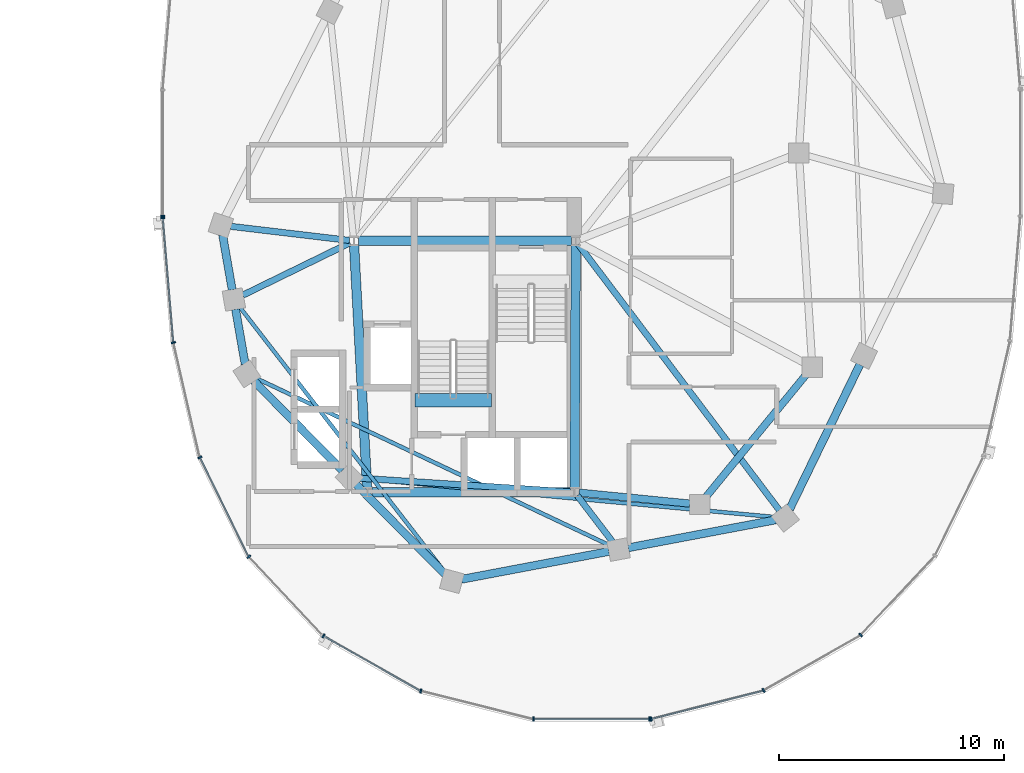
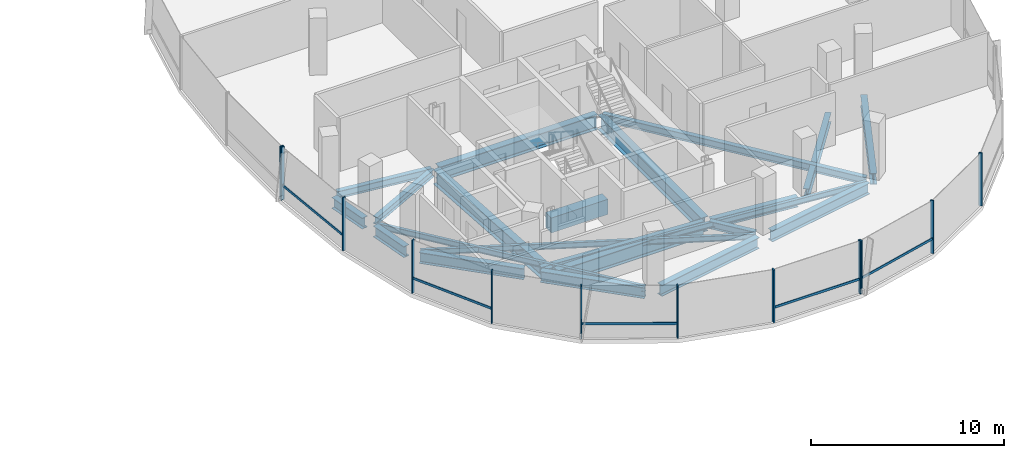
# One storey, part 8 of 25: 22 beams, 17 members, 3 elements without a shape of their own.
"""IFC4 building model written with IfcOpenShell, lengths in metres."""

from ifc_helpers import new_model, si_unit, direction, frame, origin, origin_2d, place, context, subcontext, project, spatial, rectangle, i_section, extrude, material, material_profile, profile_set, type_object, element, aggregate, save


model = new_model("IFC4")

# Units and contexts
model_context = context("Model", 3, precision=1e-05, world=origin(), true_north=direction((0.0, 1.0)))
body_context = subcontext(model_context, "Body", "Model", "MODEL_VIEW")
ifc_project = project(units=[si_unit("LENGTHUNIT", "METRE"), si_unit("AREAUNIT", "SQUARE_METRE"), si_unit("VOLUMEUNIT", "CUBIC_METRE"), si_unit("PLANEANGLEUNIT", "RADIAN"), si_unit("MASSUNIT", "GRAM", prefix="KILO"), si_unit("THERMODYNAMICTEMPERATUREUNIT", "KELVIN"), si_unit("POWERUNIT", "WATT")], contexts=[model_context])

# Site, building, storey
site_placement = place(None, origin())
site = spatial("IfcSite", under=ifc_project, at=site_placement, CompositionType="ELEMENT")
building_placement = place(site_placement, origin())
building = spatial("IfcBuilding", under=site, at=building_placement, Name="Cundina Bronze Exchange", CompositionType="ELEMENT")
storey_placement = place(building_placement, frame((0.0, 0.0, 209.800048828125)))
storey = spatial("IfcBuildingStorey", under=building, at=storey_placement, Name="L55", CompositionType="ELEMENT", Elevation=209.800048828125)

# Beams
ifc_material_1 = material(Name="Concrete C60/75", Category="concrete")
ifc_material_profile_1 = material_profile(ifc_material_1, rectangle(XDim=0.60009765625, YDim=0.949951171875, at=origin_2d()), Name="RC600X950", Category="concrete")
ifc_profile_set_1 = profile_set([ifc_material_profile_1], Name="Concrete C60/75")
beam_type_1 = type_object("IfcBeamType", Name="BM-COUP-RC950", PredefinedType="LINTEL", material=ifc_profile_set_1)
beam_1_placement = place(storey_placement, frame((24.159912109375, -10.97998046875, -0.47509765625), z_axis=(1.0, 0.0, 0.0), x_axis=(0.0, 1.0, 0.0)))
element("IfcBeam", 1, at=beam_1_placement, inside=storey, type_object=beam_type_1, Name="L55 Stair E2 Landing Header Beam", PredefinedType="LINTEL", context=body_context, shape_type="SweptSolid", body=[
    extrude(rectangle(XDim=0.60009765625, YDim=0.949951171875, at=origin_2d()), origin(), (0.0, 0.0, 1.0), 3.400146484375),
])
ifc_material_2 = material(Name="Steel ASTM A992 Grade 50", Category="steel")
ifc_material_profile_2 = material_profile(ifc_material_2, i_section(OverallWidth=0.280029296875, OverallDepth=0.462890625, WebThickness=0.0107421875, FlangeThickness=0.017333984375, FilletRadius=0.011962890625, at=origin_2d()), Name="W18X76", Category="steel")
ifc_profile_set_2 = profile_set([ifc_material_profile_2], Name="Steel ASTM A992 Grade 50")
beam_type_2 = type_object("IfcBeamType", Name="BM-FLR-W18A", PredefinedType="BEAM", material=ifc_profile_set_2)
beam_2_placement = place(storey_placement, frame((21.25537109375, -3.876953125, -0.491455078125), z_axis=(-0.993036786722, 0.117804669761, 0.0), x_axis=(-0.117804669761, -0.993036786722, 0.0)))
element("IfcBeam", 2, at=beam_2_placement, inside=storey, type_object=beam_type_2, Name="L55 Leg E Chordal Floor Beam 00", PredefinedType="BEAM", context=body_context, shape_type="SweptSolid", body=[
    extrude(i_section(OverallWidth=0.280029296875, OverallDepth=0.462890625, WebThickness=0.0107421875, FlangeThickness=0.017333984375, FilletRadius=0.011962890625, at=origin_2d()), origin(), (0.0, 0.0, 1.0), 5.307373046875),
])
beam_3_placement = place(storey_placement, frame((21.27392578125, -3.986083984375, -0.491455078125), z_axis=(-0.898613202677, -0.438741737214, 0.0), x_axis=(0.438741737214, -0.898613202677, 0.0)))
element("IfcBeam", 3, at=beam_3_placement, inside=storey, type_object=beam_type_2, Name="L55 Leg E Chordal Floor Beam 01", PredefinedType="BEAM", context=body_context, shape_type="SweptSolid", body=[
    extrude(i_section(OverallWidth=0.280029296875, OverallDepth=0.462890625, WebThickness=0.0107421875, FlangeThickness=0.017333984375, FilletRadius=0.011962890625, at=origin_2d()), origin(), (0.0, 0.0, 1.0), 5.2919921875),
])
beam_4_placement = place(storey_placement, frame((31.054443359375, -15.037353515625, -0.491455078125), z_axis=(-0.997894145252, 0.064863509559, 0.0), x_axis=(-0.064863509559, -0.997894145252, 0.0)))
element("IfcBeam", 4, at=beam_4_placement, inside=storey, type_object=beam_type_2, Name="L55 Leg E Chordal Floor Beam 03", PredefinedType="BEAM", context=body_context, shape_type="SweptSolid", body=[
    extrude(i_section(OverallWidth=0.280029296875, OverallDepth=0.462890625, WebThickness=0.0107421875, FlangeThickness=0.017333984375, FilletRadius=0.011962890625, at=origin_2d()), origin(), (0.0, 0.0, 1.0), 9.38720703125),
])
beam_5_placement = place(storey_placement, frame((31.369140625, -15.205810546875, -0.491455078125), z_axis=(0.60740437517, -0.794392802727, 0.0), x_axis=(0.794392802727, 0.60740437517, 0.0)))
element("IfcBeam", 5, at=beam_5_placement, inside=storey, type_object=beam_type_2, Name="L55 Leg E Chordal Floor Beam 05", PredefinedType="BEAM", context=body_context, shape_type="SweptSolid", body=[
    extrude(i_section(OverallWidth=0.280029296875, OverallDepth=0.462890625, WebThickness=0.0107421875, FlangeThickness=0.017333984375, FilletRadius=0.011962890625, at=origin_2d()), origin(), (0.0, 0.0, 1.0), 2.575927734375),
])
beam_6_placement = place(storey_placement, frame((31.418212890625, -4.056396484375, -0.491455078125), z_axis=(0.603104943786, -0.797661849897, 0.0), x_axis=(0.797661849897, 0.603104943786, 0.0)))
element("IfcBeam", 6, at=beam_6_placement, inside=storey, type_object=beam_type_2, Name="L55 Leg E Chordal Floor Beam 06", PredefinedType="BEAM", context=body_context, shape_type="SweptSolid", body=[
    extrude(i_section(OverallWidth=0.280029296875, OverallDepth=0.462890625, WebThickness=0.0107421875, FlangeThickness=0.017333984375, FilletRadius=0.011962890625, at=origin_2d()), origin(), (0.0, 0.0, 1.0), 14.785888671875),
])
ifc_material_profile_3 = material_profile(ifc_material_2, i_section(OverallWidth=0.172119140625, OverallDepth=0.35791015625, WebThickness=0.0078125, FlangeThickness=0.01318359375, FilletRadius=0.010009765625, at=origin_2d()), Name="W14X38", Category="steel")
ifc_profile_set_3 = profile_set([ifc_material_profile_3], Name="Steel ASTM A992 Grade 50")
beam_type_3 = type_object("IfcBeamType", Name="BM-JST-W14", PredefinedType="JOIST", material=ifc_profile_set_3)
beam_7_placement = place(storey_placement, frame((16.39306640625, -6.846435546875, -0.43896484375), z_axis=(0.612085793291, -0.790791364174, 0.0), x_axis=(0.790791364174, 0.612085793291, 0.0)))
element("IfcBeam", 7, at=beam_7_placement, inside=storey, type_object=beam_type_3, Name="L55 Leg E Lobe Floor Joist 01-04", PredefinedType="JOIST", context=body_context, shape_type="SweptSolid", body=[
    extrude(i_section(OverallWidth=0.172119140625, OverallDepth=0.35791015625, WebThickness=0.0078125, FlangeThickness=0.01318359375, FilletRadius=0.010009765625, at=origin_2d()), origin(), (0.0, 0.0, 1.0), 14.9306640625),
])
beam_8_placement = place(storey_placement, frame((17.095947265625, -9.9873046875, -0.43896484375), z_axis=(0.904073747204, -0.427376484632, 0.0), x_axis=(0.427376484632, 0.904073747204, 0.0)))
element("IfcBeam", 8, at=beam_8_placement, inside=storey, type_object=beam_type_3, Name="L55 Leg E Lobe Floor Joist 02-05", PredefinedType="JOIST", context=body_context, shape_type="SweptSolid", body=[
    extrude(i_section(OverallWidth=0.172119140625, OverallDepth=0.35791015625, WebThickness=0.0078125, FlangeThickness=0.01318359375, FilletRadius=0.010009765625, at=origin_2d()), origin(), (0.0, 0.0, 1.0), 17.374755859375),
])
beam_9_placement = place(storey_placement, frame((21.68603515625, -14.440673828125, -0.43896484375), z_axis=(0.9957017803, -0.092617302415, 0.0), x_axis=(0.092617302415, 0.9957017803, 0.0)))
element("IfcBeam", 9, at=beam_9_placement, inside=storey, type_object=beam_type_3, Name="L55 Leg E Lobe Floor Joist 03-06", PredefinedType="JOIST", context=body_context, shape_type="SweptSolid", body=[
    extrude(i_section(OverallWidth=0.172119140625, OverallDepth=0.35791015625, WebThickness=0.0078125, FlangeThickness=0.01318359375, FilletRadius=0.010009765625, at=origin_2d()), origin(), (0.0, 0.0, 1.0), 18.5576171875),
])
ifc_material_profile_4 = material_profile(ifc_material_2, i_section(OverallWidth=0.324951171875, OverallDepth=0.615966796875, WebThickness=0.013916015625, FlangeThickness=0.021484375, FilletRadius=0.01611328125, at=origin_2d()), Name="W24X117", Category="steel")
ifc_profile_set_4 = profile_set([ifc_material_profile_4], Name="Steel ASTM A992 Grade 50")
beam_type_4 = type_object("IfcBeamType", Name="BM-RING-W24", PredefinedType="USERDEFINED", material=ifc_profile_set_4)
beam_10_placement = place(storey_placement, frame((31.445068359375, -15.0693359375, -0.568115234375), z_axis=(0.995123854478, -0.09863323096, 0.0), x_axis=(0.09863323096, 0.995123854478, 0.0)))
element("IfcBeam", 10, at=beam_10_placement, inside=storey, type_object=beam_type_4, Name="L55 E Inner Structural Ring Girder 01", ObjectType="GIRDER", PredefinedType="USERDEFINED", context=body_context, shape_type="SweptSolid", body=[
    extrude(i_section(OverallWidth=0.324951171875, OverallDepth=0.615966796875, WebThickness=0.013916015625, FlangeThickness=0.021484375, FilletRadius=0.01611328125, at=origin_2d()), origin(), (0.0, 0.0, 1.0), 4.943115234375),
])
beam_11_placement = place(storey_placement, frame((37.07763671875, -15.26123046875, -0.568115234375), z_axis=(0.633912590175, 0.77340469873, 0.0), x_axis=(-0.77340469873, 0.633912590175, 0.0)))
element("IfcBeam", 11, at=beam_11_placement, inside=storey, type_object=beam_type_4, Name="L55 E Inner Structural Ring Girder 02", ObjectType="GIRDER", PredefinedType="USERDEFINED", context=body_context, shape_type="SweptSolid", body=[
    extrude(i_section(OverallWidth=0.324951171875, OverallDepth=0.615966796875, WebThickness=0.013916015625, FlangeThickness=0.021484375, FilletRadius=0.01611328125, at=origin_2d()), origin(), (0.0, 0.0, 1.0), 7.01123046875),
])
ifc_material_profile_5 = material_profile(ifc_material_2, i_section(OverallWidth=0.35498046875, OverallDepth=0.695068359375, WebThickness=0.015380859375, FlangeThickness=0.02490234375, FilletRadius=0.01806640625, at=origin_2d()), Name="W27X146", Category="steel")
ifc_profile_set_5 = profile_set([ifc_material_profile_5], Name="Steel ASTM A992 Grade 50")
beam_type_5 = type_object("IfcBeamType", Name="BM-RING-W27", PredefinedType="USERDEFINED", material=ifc_profile_set_5)
for number, where, z_axis, x_axis, name in (
    (12, (15.625244140625, -3.631591796875, -0.607666015625), (0.171628556628, -0.985161732179, 0.0), (0.985161732179, 0.171628556628, 0.0), "L55 E Perimeter Ring Girder 00"),
    (13, (16.2001953125, -6.931396484375, -0.607666015625), (0.171628556628, -0.985161732179, 0.0), (0.985161732179, 0.171628556628, 0.0), "L55 E Perimeter Ring Girder 01"),
):
    element("IfcBeam", number, at=place(storey_placement, frame(where, z_axis=z_axis, x_axis=x_axis)), inside=storey, type_object=beam_type_5, Name=name, ObjectType="GIRDER", PredefinedType="USERDEFINED", context=body_context, shape_type="SweptSolid", body=[
        extrude(i_section(OverallWidth=0.35498046875, OverallDepth=0.695068359375, WebThickness=0.015380859375, FlangeThickness=0.02490234375, FilletRadius=0.01806640625, at=origin_2d()), origin(), (0.0, 0.0, 1.0), 2.4736328125),
    ])
for number, where, z_axis, x_axis, name in (
    (14, (17.008056640625, -10.111328125, -0.607666015625), (0.703211928763, -0.710980297368, 0.0), (0.710980297368, 0.703211928763, 0.0), "L55 E Perimeter Ring Girder 02"),
    (15, (21.55810546875, -14.71142578125, -0.607666015625), (0.703211928763, -0.710980297368, 0.0), (0.710980297368, 0.703211928763, 0.0), "L55 E Perimeter Ring Girder 03"),
):
    element("IfcBeam", number, at=place(storey_placement, frame(where, z_axis=z_axis, x_axis=x_axis)), inside=storey, type_object=beam_type_5, Name=name, ObjectType="GIRDER", PredefinedType="USERDEFINED", context=body_context, shape_type="SweptSolid", body=[
        extrude(i_section(OverallWidth=0.35498046875, OverallDepth=0.695068359375, WebThickness=0.015380859375, FlangeThickness=0.02490234375, FilletRadius=0.01806640625, at=origin_2d()), origin(), (0.0, 0.0, 1.0), 5.593994140625),
    ])
beam_12_placement = place(storey_placement, frame((26.23046875, -18.918701171875, -0.607666015625), z_axis=(0.982565174657, 0.185918470175, 0.0), x_axis=(-0.185918470175, 0.982565174657, 0.0)))
element("IfcBeam", 16, at=beam_12_placement, inside=storey, type_object=beam_type_5, Name="L55 E Perimeter Ring Girder 04", ObjectType="GIRDER", PredefinedType="USERDEFINED", context=body_context, shape_type="SweptSolid", body=[
    extrude(i_section(OverallWidth=0.35498046875, OverallDepth=0.695068359375, WebThickness=0.015380859375, FlangeThickness=0.02490234375, FilletRadius=0.01806640625, at=origin_2d()), origin(), (0.0, 0.0, 1.0), 6.655029296875),
])
beam_13_placement = place(storey_placement, frame((33.63037109375, -17.5185546875, -0.607666015625), z_axis=(0.982573143022, 0.185876353022, 0.0), x_axis=(-0.185876353022, 0.982573143022, 0.0)))
element("IfcBeam", 17, at=beam_13_placement, inside=storey, type_object=beam_type_5, Name="L55 E Perimeter Ring Girder 05", ObjectType="GIRDER", PredefinedType="USERDEFINED", context=body_context, shape_type="SweptSolid", body=[
    extrude(i_section(OverallWidth=0.35498046875, OverallDepth=0.695068359375, WebThickness=0.015380859375, FlangeThickness=0.02490234375, FilletRadius=0.01806640625, at=origin_2d()), origin(), (0.0, 0.0, 1.0), 6.6552734375),
])
beam_14_placement = place(storey_placement, frame((40.79150390625, -15.80615234375, -0.607666015625), z_axis=(0.437173087764, 0.89937739094, 0.0), x_axis=(-0.89937739094, 0.437173087764, 0.0)))
element("IfcBeam", 18, at=beam_14_placement, inside=storey, type_object=beam_type_5, Name="L55 E Perimeter Ring Girder 06", ObjectType="GIRDER", PredefinedType="USERDEFINED", context=body_context, shape_type="SweptSolid", body=[
    extrude(i_section(OverallWidth=0.35498046875, OverallDepth=0.695068359375, WebThickness=0.015380859375, FlangeThickness=0.02490234375, FilletRadius=0.01806640625, at=origin_2d()), origin(), (0.0, 0.0, 1.0), 7.1298828125),
])
ifc_material_profile_6 = material_profile(ifc_material_2, i_section(OverallWidth=0.41796875, OverallDepth=0.927001953125, WebThickness=0.019287109375, FlangeThickness=0.031982421875, FilletRadius=0.02392578125, at=origin_2d()), Name="W36X231", Category="steel")
ifc_profile_set_6 = profile_set([ifc_material_profile_6], Name="Steel ASTM A992 Grade 50")
beam_type_6 = type_object("IfcBeamType", Name="BM-WRN-W36B", PredefinedType="USERDEFINED", material=ifc_profile_set_6)
beam_15_placement = place(storey_placement, frame((31.10400390625, -3.89990234375, -0.7236328125), z_axis=(-1.0, 0.0, 0.0), x_axis=(0.0, -1.0, 0.0)))
element("IfcBeam", 19, at=beam_15_placement, inside=storey, type_object=beam_type_6, Name="L55 E Core Perimeter Tie Girder 1", ObjectType="GIRDER", PredefinedType="USERDEFINED", context=body_context, shape_type="SweptSolid", body=[
    extrude(i_section(OverallWidth=0.41796875, OverallDepth=0.927001953125, WebThickness=0.019287109375, FlangeThickness=0.031982421875, FilletRadius=0.02392578125, at=origin_2d()), origin(), (0.0, 0.0, 1.0), 9.4580078125),
])
beam_16_placement = place(storey_placement, frame((21.46044921875, -4.095703125, -0.7236328125), z_axis=(0.053749317644, -0.998554460634, 0.0), x_axis=(0.998554460634, 0.053749317644, 0.0)))
element("IfcBeam", 20, at=beam_16_placement, inside=storey, type_object=beam_type_6, Name="L55 E Core Perimeter Tie Girder 2", ObjectType="GIRDER", PredefinedType="USERDEFINED", context=body_context, shape_type="SweptSolid", body=[
    extrude(i_section(OverallWidth=0.41796875, OverallDepth=0.927001953125, WebThickness=0.019287109375, FlangeThickness=0.031982421875, FilletRadius=0.02392578125, at=origin_2d()), origin(), (0.0, 0.0, 1.0), 10.774169921875),
])
beam_17_placement = place(storey_placement, frame((22.24609375, -15.050048828125, -0.7236328125), z_axis=(1.0, 0.0, 0.0), x_axis=(0.0, 1.0, 0.0)))
element("IfcBeam", 21, at=beam_17_placement, inside=storey, type_object=beam_type_6, Name="L55 E Core Perimeter Tie Girder 3", ObjectType="GIRDER", PredefinedType="USERDEFINED", context=body_context, shape_type="SweptSolid", body=[
    extrude(i_section(OverallWidth=0.41796875, OverallDepth=0.927001953125, WebThickness=0.019287109375, FlangeThickness=0.031982421875, FilletRadius=0.02392578125, at=origin_2d()), origin(), (0.0, 0.0, 1.0), 8.807861328125),
])
beam_18_placement = place(storey_placement, frame((31.2509765625, -14.85400390625, -0.7236328125), z_axis=(0.004470623654, 0.999990006712, 0.0), x_axis=(-0.999990006712, 0.004470623654, 0.0)))
element("IfcBeam", 22, at=beam_18_placement, inside=storey, type_object=beam_type_6, Name="L55 E Core Perimeter Tie Girder 4", ObjectType="GIRDER", PredefinedType="USERDEFINED", context=body_context, shape_type="SweptSolid", body=[
    extrude(i_section(OverallWidth=0.41796875, OverallDepth=0.927001953125, WebThickness=0.019287109375, FlangeThickness=0.031982421875, FilletRadius=0.02392578125, at=origin_2d()), origin(), (0.0, 0.0, 1.0), 10.758056640625),
])

# Curtain wall, member
ifc_material_3 = material(Name="Anodised Bronze Aluminium 6063-T6", Category="aluminium")
curtain_wall_type = type_object("IfcCurtainWallType", Name="CWS-UPP-OFF", PredefinedType="NOTDEFINED", material=ifc_material_3)
curtain_wall_1_placement = place(storey_placement, origin())
curtain_wall_1 = element("IfcCurtainWall", 23, at=curtain_wall_1_placement, inside=storey, type_object=curtain_wall_type, Name="L55 CW-05 Curtain Wall Run CWR-L55-E2", PredefinedType="NOTDEFINED")
ifc_material_profile_7 = material_profile(ifc_material_3, rectangle(XDim=0.070068359375, YDim=0.18994140625, at=origin_2d()), Name="AL70X190", Category="aluminium")
ifc_profile_set_7 = profile_set([ifc_material_profile_7], Name="Anodised Bronze Aluminium 6063-T6")
member_type_1 = type_object("IfcMemberType", Name="CWM-MUL-190", PredefinedType="MULLION", material=ifc_profile_set_7)
member_1_placement = place(storey_placement, frame((12.966064453125, -2.794921875, 0.0), z_axis=(0.0, 0.0, 1.0), x_axis=(0.0, -1.0, 0.0)))
member_1 = element("IfcMember", 24, at=member_1_placement, type_object=member_type_1, Name="CW-05 End Mullion", PredefinedType="MULLION", context=body_context, shape_type="SweptSolid", body=[
    extrude(rectangle(XDim=0.070068359375, YDim=0.18994140625, at=origin_2d()), origin(), (0.0, 0.0, 1.0), 3.33984375),
])
aggregate(curtain_wall_1, [member_1])

# Curtain wall, members
curtain_wall_2_placement = place(storey_placement, origin())
curtain_wall_2 = element("IfcCurtainWall", 25, at=curtain_wall_2_placement, inside=storey, type_object=curtain_wall_type, Name="L55 CW-05 Curtain Wall Run CWR-L55-E3", PredefinedType="NOTDEFINED")
member_2_placement = place(storey_placement, frame((12.9697265625, -2.88330078125, 0.0), z_axis=(0.0, 0.0, 1.0), x_axis=(0.083677843332, -0.99649285925, 0.0)))
member_2 = element("IfcMember", 26, at=member_2_placement, type_object=member_type_1, Name="CW-05 Mullion 1", PredefinedType="MULLION", context=body_context, shape_type="SweptSolid", body=[
    extrude(rectangle(XDim=0.070068359375, YDim=0.18994140625, at=origin_2d()), origin(), (0.0, 0.0, 1.0), 3.33984375),
])
member_3_placement = place(storey_placement, frame((13.43994140625, -8.4111328125, 0.0), z_axis=(0.0, 0.0, 1.0), x_axis=(0.223250116011, -0.974761194191, 0.0)))
member_3 = element("IfcMember", 27, at=member_3_placement, type_object=member_type_1, Name="CW-05 Mullion 2", PredefinedType="MULLION", context=body_context, shape_type="SweptSolid", body=[
    extrude(rectangle(XDim=0.070068359375, YDim=0.18994140625, at=origin_2d()), origin(), (0.0, 0.0, 1.0), 3.33984375),
])
member_4_placement = place(storey_placement, frame((14.61572265625, -13.50732421875, 0.0), z_axis=(0.0, 0.0, 1.0), x_axis=(0.440566004113, -0.897720221461, 0.0)))
member_4 = element("IfcMember", 28, at=member_4_placement, type_object=member_type_1, Name="CW-05 Mullion 3", PredefinedType="MULLION", context=body_context, shape_type="SweptSolid", body=[
    extrude(rectangle(XDim=0.070068359375, YDim=0.18994140625, at=origin_2d()), origin(), (0.0, 0.0, 1.0), 3.33984375),
])
member_5_placement = place(storey_placement, frame((16.790283203125, -17.91796875, 0.0), z_axis=(0.0, 0.0, 1.0), x_axis=(0.684292606175, -0.729207535023, 0.0)))
member_5 = element("IfcMember", 29, at=member_5_placement, type_object=member_type_1, Name="CW-05 Mullion 4", PredefinedType="MULLION", context=body_context, shape_type="SweptSolid", body=[
    extrude(rectangle(XDim=0.070068359375, YDim=0.18994140625, at=origin_2d()), origin(), (0.0, 0.0, 1.0), 3.33984375),
])
member_6_placement = place(storey_placement, frame((20.100341796875, -21.43115234375, 0.0), z_axis=(0.0, 0.0, 1.0), x_axis=(0.86958112538, -0.493790103568, 0.0)))
member_6 = element("IfcMember", 30, at=member_6_placement, type_object=member_type_1, Name="CW-05 Mullion 5", PredefinedType="MULLION", context=body_context, shape_type="SweptSolid", body=[
    extrude(rectangle(XDim=0.070068359375, YDim=0.18994140625, at=origin_2d()), origin(), (0.0, 0.0, 1.0), 3.33984375),
])
member_7_placement = place(storey_placement, frame((24.422607421875, -23.87548828125, 0.0), z_axis=(0.0, 0.0, 1.0), x_axis=(0.969744325821, -0.244122802168, 0.0)))
member_7 = element("IfcMember", 31, at=member_7_placement, type_object=member_type_1, Name="CW-05 Mullion 6", PredefinedType="MULLION", context=body_context, shape_type="SweptSolid", body=[
    extrude(rectangle(XDim=0.070068359375, YDim=0.18994140625, at=origin_2d()), origin(), (0.0, 0.0, 1.0), 3.33984375),
])
member_8_placement = place(storey_placement, frame((29.419921875, -25.125, 0.0), z_axis=(0.0, 0.0, 1.0), x_axis=(1.0, 0.0, 0.0)))
member_8 = element("IfcMember", 32, at=member_8_placement, type_object=member_type_1, Name="CW-05 Mullion 7", PredefinedType="MULLION", context=body_context, shape_type="SweptSolid", body=[
    extrude(rectangle(XDim=0.070068359375, YDim=0.18994140625, at=origin_2d()), origin(), (0.0, 0.0, 1.0), 3.33984375),
])
member_9_placement = place(storey_placement, frame((34.580078125, -25.125, 0.0), z_axis=(0.0, 0.0, 1.0), x_axis=(1.0, 0.0, 0.0)))
member_9 = element("IfcMember", 33, at=member_9_placement, type_object=member_type_1, Name="CW-05 End Mullion", PredefinedType="MULLION", context=body_context, shape_type="SweptSolid", body=[
    extrude(rectangle(XDim=0.070068359375, YDim=0.18994140625, at=origin_2d()), origin(), (0.0, 0.0, 1.0), 3.33984375),
])

curtain_wall_3_placement = place(storey_placement, origin())
curtain_wall_3 = element("IfcCurtainWall", 34, at=curtain_wall_3_placement, inside=storey, type_object=curtain_wall_type, Name="L55 CW-05 Curtain Wall Run CWR-L55-E4", PredefinedType="NOTDEFINED")
member_10_placement = place(storey_placement, frame((34.6484375, -25.116455078125, 0.0), z_axis=(0.0, 0.0, 1.0), x_axis=(0.969744325821, 0.244122802168, 0.0)))
member_10 = element("IfcMember", 35, at=member_10_placement, type_object=member_type_1, Name="CW-05 Mullion 1", PredefinedType="MULLION", context=body_context, shape_type="SweptSolid", body=[
    extrude(rectangle(XDim=0.070068359375, YDim=0.18994140625, at=origin_2d()), origin(), (0.0, 0.0, 1.0), 3.33984375),
])
member_11_placement = place(storey_placement, frame((39.638916015625, -23.850830078125, 0.0), z_axis=(0.0, 0.0, 1.0), x_axis=(0.86958112538, 0.493790103568, 0.0)))
member_11 = element("IfcMember", 36, at=member_11_placement, type_object=member_type_1, Name="CW-05 Mullion 2", PredefinedType="MULLION", context=body_context, shape_type="SweptSolid", body=[
    extrude(rectangle(XDim=0.070068359375, YDim=0.18994140625, at=origin_2d()), origin(), (0.0, 0.0, 1.0), 3.33984375),
])
member_12_placement = place(storey_placement, frame((43.94873046875, -21.392578125, 0.0), z_axis=(0.0, 0.0, 1.0), x_axis=(0.684292606175, 0.729207535023, 0.0)))
member_12 = element("IfcMember", 37, at=member_12_placement, type_object=member_type_1, Name="CW-05 Mullion 3", PredefinedType="MULLION", context=body_context, shape_type="SweptSolid", body=[
    extrude(rectangle(XDim=0.070068359375, YDim=0.18994140625, at=origin_2d()), origin(), (0.0, 0.0, 1.0), 3.33984375),
])

# Member
ifc_material_profile_8 = material_profile(ifc_material_3, rectangle(XDim=0.06494140625, YDim=0.14990234375, at=origin_2d()), Name="AL65X150", Category="aluminium")
ifc_profile_set_8 = profile_set([ifc_material_profile_8], Name="Anodised Bronze Aluminium 6063-T6")
member_type_2 = type_object("IfcMemberType", Name="CWM-TRN-150", PredefinedType="USERDEFINED", material=ifc_profile_set_8)
member_13_placement = place(storey_placement, frame((12.972900390625, -2.921630859375, 0.919921875), z_axis=(0.083740331158, -0.996487610027, 0.0), x_axis=(0.996487610027, 0.083740331158, 0.0)))
member_13 = element("IfcMember", 38, at=member_13_placement, type_object=member_type_2, Name="CW-05 Spandrel Transom 1", ObjectType="TRANSOM", PredefinedType="USERDEFINED", context=body_context, shape_type="SweptSolid", body=[
    extrude(rectangle(XDim=0.06494140625, YDim=0.14990234375, at=origin_2d()), origin(), (0.0, 0.0, 1.0), 5.466552734375),
])

member_14_placement = place(storey_placement, frame((14.6328125, -13.5419921875, 0.919921875), z_axis=(0.440483110889, -0.897760897467, 0.0), x_axis=(0.897760897467, 0.440483110889, 0.0)))
member_14 = element("IfcMember", 39, at=member_14_placement, type_object=member_type_2, Name="CW-05 Spandrel Transom 3", ObjectType="TRANSOM", PredefinedType="USERDEFINED", context=body_context, shape_type="SweptSolid", body=[
    extrude(rectangle(XDim=0.06494140625, YDim=0.14990234375, at=origin_2d()), origin(), (0.0, 0.0, 1.0), 4.855224609375),
])

member_15_placement = place(storey_placement, frame((20.1337890625, -21.4501953125, 0.919921875), z_axis=(0.869573748083, -0.493803095013, 0.0), x_axis=(0.493803095013, 0.869573748083, 0.0)))
member_15 = element("IfcMember", 40, at=member_15_placement, type_object=member_type_2, Name="CW-05 Spandrel Transom 5", ObjectType="TRANSOM", PredefinedType="USERDEFINED", context=body_context, shape_type="SweptSolid", body=[
    extrude(rectangle(XDim=0.06494140625, YDim=0.14990234375, at=origin_2d()), origin(), (0.0, 0.0, 1.0), 4.900146484375),
])

member_16_placement = place(storey_placement, frame((29.45849609375, -25.125, 0.919921875), z_axis=(1.0, 0.0, 0.0), x_axis=(0.0, 1.0, 0.0)))
member_16 = element("IfcMember", 41, at=member_16_placement, type_object=member_type_2, Name="CW-05 Spandrel Transom 7", ObjectType="TRANSOM", PredefinedType="USERDEFINED", context=body_context, shape_type="SweptSolid", body=[
    extrude(rectangle(XDim=0.06494140625, YDim=0.14990234375, at=origin_2d()), origin(), (0.0, 0.0, 1.0), 5.0830078125),
])

aggregate(curtain_wall_2, [member_2, member_13, member_3, member_4, member_14, member_5, member_6, member_15, member_7, member_8, member_9, member_16])

member_17_placement = place(storey_placement, frame((34.685791015625, -25.107177734375, 0.919921875), z_axis=(0.969725738797, 0.244196624699, 0.0), x_axis=(-0.244196624699, 0.969725738797, 0.0)))
member_17 = element("IfcMember", 42, at=member_17_placement, type_object=member_type_2, Name="CW-05 Spandrel Transom 1", ObjectType="TRANSOM", PredefinedType="USERDEFINED", context=body_context, shape_type="SweptSolid", body=[
    extrude(rectangle(XDim=0.06494140625, YDim=0.14990234375, at=origin_2d()), origin(), (0.0, 0.0, 1.0), 5.082763671875),
])

aggregate(curtain_wall_3, [member_10, member_17, member_11, member_12])

save(model, "model.ifc")
